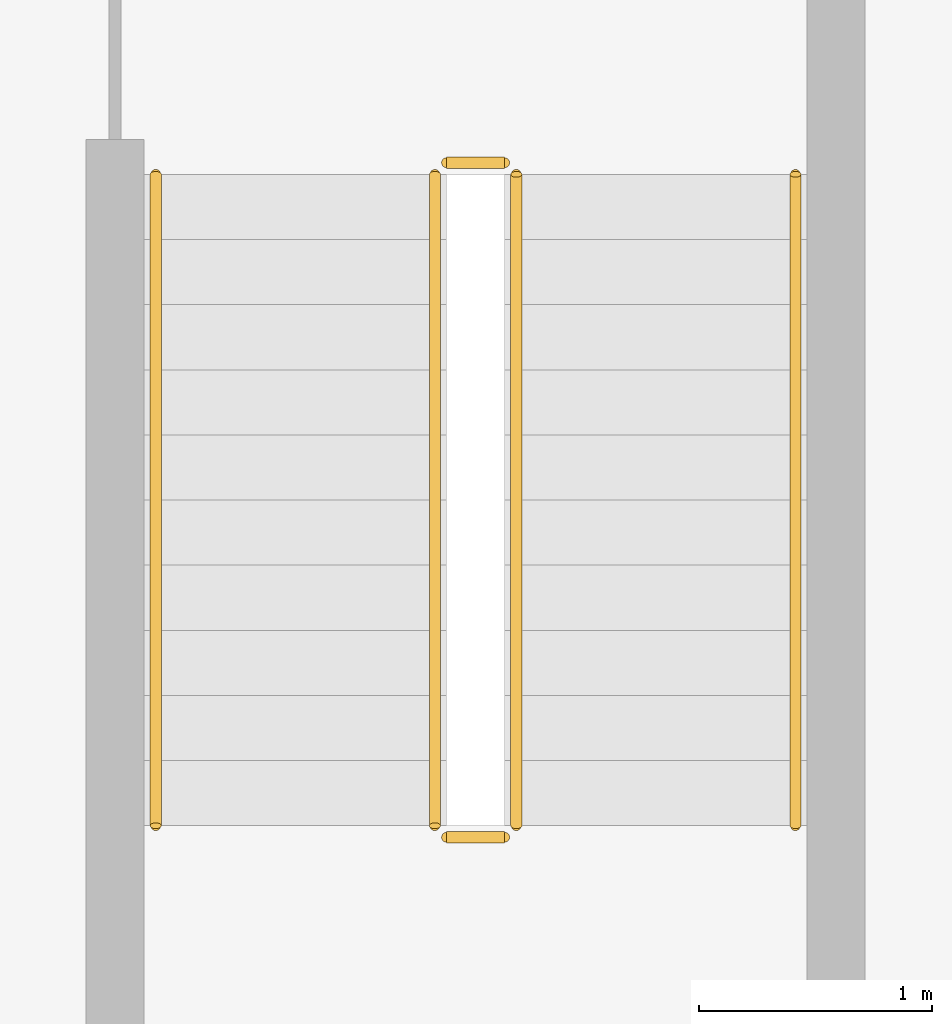
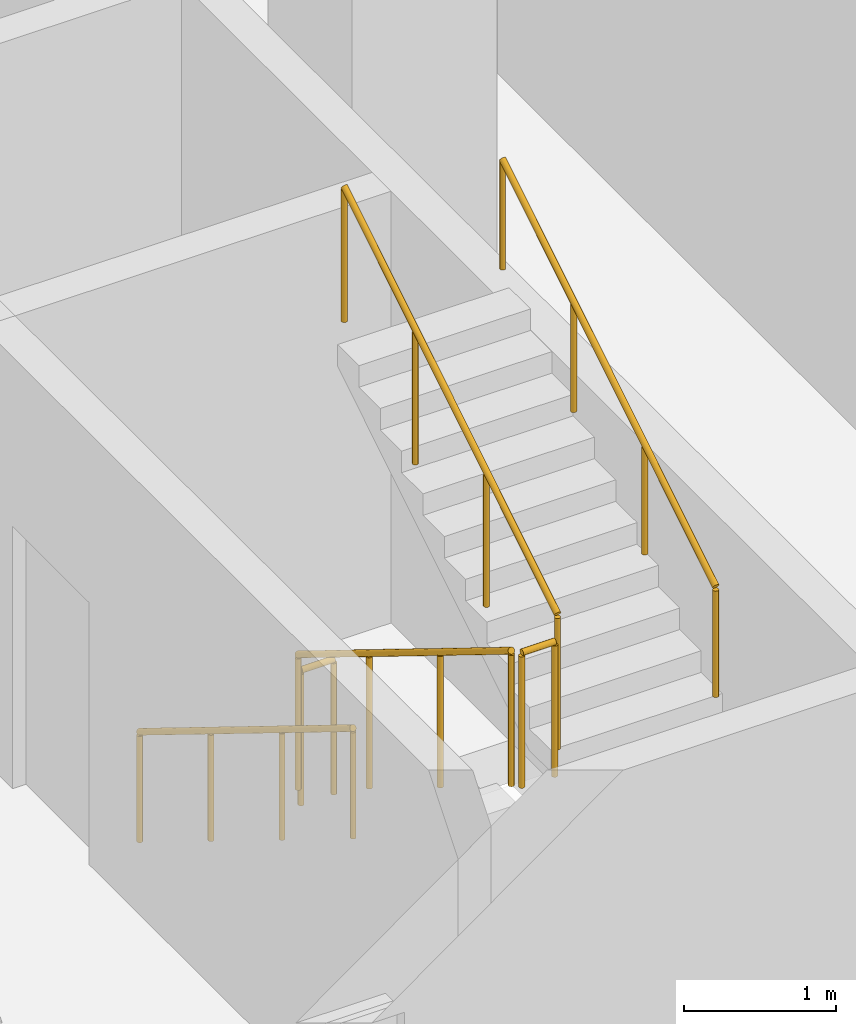
# One storey, part 26 of 30: 6 railings.
"""IFC4 building model written with IfcOpenShell, lengths in metres."""

import ifcopenshell
import ifcopenshell.guid

model = None  # the IFC model being written
_history = None  # IfcOwnerHistory: only IFC2X3 demands one
_inside = {}  # id of a spatial element -> (the spatial element, [elements in it])
_under = {}  # id of a project, library or spatial element -> (it, [spatial elements below it])
_declared = {}  # id of a project -> (the project, [libraries it declares])
_typed = {}  # id of a type object -> (the type object, [elements of that type])
_made_of = {}  # id of a material, layer set ... -> (it, [elements and type objects made of it])


def new_model(schema):
    """Start an empty IFC model of exactly this schema.

    Asked for "IFC4X3", IfcOpenShell would pick the latest addendum, in which some entities
    have other attributes; the version numbers below select the first issue.
    IFC2X3 requires an IfcOwnerHistory on every rooted entity: one is made here for all.
    """
    global model, _history
    if schema == "IFC4X3":
        model = ifcopenshell.file(schema_version=(4, 3, 0, 0))
    else:
        model = ifcopenshell.file(schema=schema)
    _inside.clear()
    _under.clear()
    _declared.clear()
    _typed.clear()
    _made_of.clear()
    _history = None
    if model.schema == "IFC2X3":
        org = make("IfcOrganization", Name="unknown")
        user = make(
            "IfcPersonAndOrganization",
            ThePerson=make("IfcPerson", FamilyName="unknown"),
            TheOrganization=org,
        )
        app = make(
            "IfcApplication",
            ApplicationDeveloper=org,
            Version="unknown",
            ApplicationFullName="unknown",
            ApplicationIdentifier="unknown",
        )
        _history = make(
            "IfcOwnerHistory",
            OwningUser=user,
            OwningApplication=app,
            ChangeAction="ADDED",
            CreationDate=0,
        )
    return model


def make(cls, **values):
    """One entity of the class cls with the attributes given. An attribute that is None is left unset."""
    return model.create_entity(
        cls, **{name: value for name, value in values.items() if value is not None}
    )


def rooted(cls, **values):
    """An entity with a GlobalId (a new one), such as an element, a storey or a relation."""
    return make(cls, GlobalId=ifcopenshell.guid.new(), OwnerHistory=_history, **values)


def si_unit(unit_type, name, prefix=None):
    """IfcSIUnit, for example si_unit("LENGTHUNIT", "METRE", prefix="MILLI")."""
    return make("IfcSIUnit", UnitType=unit_type, Prefix=prefix, Name=name)


def assignment(units):
    """IfcUnitAssignment: the units of a project."""
    return None if units is None else make("IfcUnitAssignment", Units=units)


def point(xyz):
    """IfcCartesianPoint."""
    return None if xyz is None else make("IfcCartesianPoint", Coordinates=xyz)


def direction(xyz):
    """IfcDirection."""
    return None if xyz is None else make("IfcDirection", DirectionRatios=xyz)


def frame(location, z_axis=None, x_axis=None):
    """IfcAxis2Placement3D, a coordinate frame: its origin and axes. An axis left out is left unset."""
    return make(
        "IfcAxis2Placement3D",
        Location=point(location),
        Axis=direction(z_axis),
        RefDirection=direction(x_axis),
    )


def frame_2d(location, x_axis=None):
    """IfcAxis2Placement2D, a coordinate frame in the plane: its origin and x axis."""
    return make(
        "IfcAxis2Placement2D", Location=point(location), RefDirection=direction(x_axis)
    )


def origin():
    """The frame at (0, 0, 0) with its axes left unset."""
    return frame((0.0, 0.0, 0.0))


def origin_2d():
    """The frame at (0, 0) in the plane with its x axis left unset."""
    return frame_2d((0.0, 0.0))


def place(relative_to, where):
    """IfcLocalPlacement: puts the frame where relative to a parent placement (None: the world)."""
    return make(
        "IfcLocalPlacement", PlacementRelTo=relative_to, RelativePlacement=where
    )


def context(
    kind, dimensions, precision=None, world=None, true_north=None, identifier=None
):
    """IfcGeometricRepresentationContext, for example the 3D "Model" context."""
    return make(
        "IfcGeometricRepresentationContext",
        ContextIdentifier=identifier,
        ContextType=kind,
        CoordinateSpaceDimension=dimensions,
        Precision=precision,
        WorldCoordinateSystem=world,
        TrueNorth=true_north,
    )


def subcontext(parent, identifier, kind, view, scale=None):
    """IfcGeometricRepresentationSubContext, for example "Body" below "Model"."""
    return make(
        "IfcGeometricRepresentationSubContext",
        ContextIdentifier=identifier,
        ContextType=kind,
        ParentContext=parent,
        TargetScale=scale,
        TargetView=view,
    )


def project(units=None, contexts=None):
    """IfcProject with its units and contexts."""
    return rooted(
        "IfcProject",
        Name="project",
        RepresentationContexts=contexts,
        UnitsInContext=assignment(units),
    )


def spatial(cls, under=None, at=None, **own):
    """A site, building, storey or space (cls), placed at a placement, below another one or the project."""
    s = rooted(cls, ObjectPlacement=at, **own)
    if under is not None:
        _under.setdefault(under.id(), (under, []))[1].append(s)
    return s


def profile(cls, at=None, kind="AREA", **sizes):
    """A parametric profile (cls). Its sizes go by their IFC names, for example OverallWidth=200.0."""
    return make(cls, ProfileType=kind, Position=at, **sizes)


def circle(**sizes):
    """IfcCircleProfileDef."""
    return profile("IfcCircleProfileDef", **sizes)


def extrude(swept, where, along, depth):
    """IfcExtrudedAreaSolid: the profile swept, set in the frame where, extruded along a direction by depth."""
    return make(
        "IfcExtrudedAreaSolid",
        SweptArea=swept,
        Position=where,
        ExtrudedDirection=direction(along),
        Depth=depth,
    )


def shape(context_of_items, identifier, shape_type, items):
    """IfcShapeRepresentation: the items that make up one representation, for example the "Body"."""
    return make(
        "IfcShapeRepresentation",
        ContextOfItems=context_of_items,
        RepresentationIdentifier=identifier,
        RepresentationType=shape_type,
        Items=items,
    )


def material(Name=None, Category=None):
    """IfcMaterial."""
    return make("IfcMaterial", Name=Name, Category=Category)


def made_of(thing, what):
    """Note that an element or type object is made of a material, layer set ...; save() writes the relation."""
    if what is not None:
        _made_of.setdefault(what.id(), (what, []))[1].append(thing)
    return thing


def type_object(cls, material=None, **own):
    """A type object (cls), such as IfcWallType, which elements share."""
    return made_of(rooted(cls, **own), material)


def element(
    cls,
    number,
    at=None,
    inside=None,
    cuts=None,
    type_object=None,
    material=None,
    context=None,
    identifier="Body",
    shape_type=None,
    held_by="IfcProductDefinitionShape",
    body=None,
    shapes=None,
    **own,
):
    """One element of the class cls, such as IfcWall. Its Tag is "e" and its number.

    at: its placement. inside: the storey or other place that contains it. cuts: it is an
    opening in that element (IfcRelVoidsElement). A single representation is given by context,
    identifier, shape_type and body (its items); several are given by shapes. held_by: the class
    of the entity that holds the representations. save() writes the other relations.
    """
    e = rooted(cls, Tag="e%d" % number, ObjectPlacement=at, **own)
    if body is not None:
        shapes = [shape(context, identifier, shape_type, body)]
    if shapes is not None:
        e.Representation = make(held_by, Representations=shapes)
    if inside is not None:
        _inside.setdefault(inside.id(), (inside, []))[1].append(e)
    if cuts is not None:
        rooted(
            "IfcRelVoidsElement", RelatingBuildingElement=cuts, RelatedOpeningElement=e
        )
    if type_object is not None:
        _typed.setdefault(type_object.id(), (type_object, []))[1].append(e)
    return made_of(e, material)


def aggregate(whole, parts):
    """IfcRelAggregates: a whole, such as a stair, and the parts it consists of."""
    return rooted("IfcRelAggregates", RelatingObject=whole, RelatedObjects=parts)


def save(model, path):
    """Write the relations noted so far, then the file.

    IfcRelAggregates (storeys below a building ...), IfcRelContainedInSpatialStructure (elements
    in a storey), IfcRelDefinesByType, IfcRelAssociatesMaterial and IfcRelDeclares: one each for
    every whole, place, type object, material and project.
    """
    for whole, parts in _under.values():
        aggregate(whole, parts)
    for where, things in _inside.values():
        rooted(
            "IfcRelContainedInSpatialStructure",
            RelatedElements=things,
            RelatingStructure=where,
        )
    for kind, things in _typed.values():
        rooted("IfcRelDefinesByType", RelatedObjects=things, RelatingType=kind)
    for what, things in _made_of.values():
        rooted("IfcRelAssociatesMaterial", RelatedObjects=things, RelatingMaterial=what)
    for by, libraries in _declared.values():
        rooted("IfcRelDeclares", RelatingContext=by, RelatedDefinitions=libraries)
    model.write(path)


model = new_model("IFC4")

# Units and contexts
model_context = context("Model", 3, precision=1e-05, world=origin(), true_north=direction((0.0, 1.0)))
body_context = subcontext(model_context, "Body", "Model", "MODEL_VIEW")
ifc_project = project(units=[si_unit("LENGTHUNIT", "METRE"), si_unit("AREAUNIT", "SQUARE_METRE"), si_unit("VOLUMEUNIT", "CUBIC_METRE"), si_unit("PLANEANGLEUNIT", "RADIAN"), si_unit("MASSUNIT", "GRAM", prefix="KILO")], contexts=[model_context])

# Site, building, storey
site_placement = place(None, origin())
site = spatial("IfcSite", under=ifc_project, at=site_placement, CompositionType="ELEMENT")
building_placement = place(site_placement, origin())
building = spatial("IfcBuilding", under=site, at=building_placement, Name="Mahtab Terrace Research Tower", CompositionType="ELEMENT")
storey_placement = place(building_placement, frame((0.0, 0.0, 209.10009765625)))
storey = spatial("IfcBuildingStorey", under=building, at=storey_placement, Name="L50", CompositionType="ELEMENT", Elevation=209.10009765625)

# Railings
ifc_material = material(Name="Stainless steel AISI 304", Category="steel")
railing_type_1 = type_object("IfcRailingType", Name="Stair guard 1100", PredefinedType="GUARDRAIL", material=ifc_material)
railing_1_placement = place(storey_placement, frame((2.949951171875, -4.175048828125, 0.172607421875)))
element("IfcRailing", 1, at=railing_1_placement, inside=storey, type_object=railing_type_1, Name="L50 ST2 stair guard 1", PredefinedType="GUARDRAIL", context=body_context, shape_type="SweptSolid", body=[
    extrude(circle(Radius=0.02392578125, at=origin_2d()), frame((0.0, 0.0, 1.076171875), z_axis=(0.0, -0.851089632645, 0.525020415988), x_axis=(1.0, 0.0, 0.0)), (0.0, 0.0, 1.0), 3.2900390625),
    extrude(circle(Radius=0.02099609375, at=origin_2d()), origin(), (0.0, 0.0, 1.0), 1.052001953125),
    extrude(circle(Radius=0.02099609375, at=origin_2d()), frame((0.0, -0.933349609375, 0.57568359375)), (0.0, 0.0, 1.0), 1.052001953125),
    extrude(circle(Radius=0.02099609375, at=origin_2d()), frame((0.0, -1.86669921875, 1.151611328125)), (0.0, 0.0, 1.0), 1.052001953125),
    extrude(circle(Radius=0.02099609375, at=origin_2d()), frame((0.0, -2.800048828125, 1.727294921875)), (0.0, 0.0, 1.0), 1.052001953125),
])
railing_2_placement = place(storey_placement, frame((3.0, -7.02490234375, 1.89990234375)))
element("IfcRailing", 2, at=railing_2_placement, inside=storey, type_object=railing_type_1, Name="L50 ST2 stair guard 2", PredefinedType="GUARDRAIL", context=body_context, shape_type="SweptSolid", body=[
    extrude(circle(Radius=0.02392578125, at=origin_2d()), frame((0.0, 0.0, 1.076171875), z_axis=(1.0, 0.0, 0.0), x_axis=(0.0, 1.0, 0.0)), (0.0, 0.0, 1.0), 0.25),
    extrude(circle(Radius=0.02099609375, at=origin_2d()), origin(), (0.0, 0.0, 1.0), 1.052001953125),
    extrude(circle(Radius=0.02099609375, at=origin_2d()), frame((0.25, 0.0, 0.0)), (0.0, 0.0, 1.0), 1.052001953125),
])
railing_3_placement = place(storey_placement, frame((3.300048828125, -6.97509765625, 2.072509765625)))
element("IfcRailing", 3, at=railing_3_placement, inside=storey, type_object=railing_type_1, Name="L50 ST2 stair guard 3", PredefinedType="GUARDRAIL", context=body_context, shape_type="SweptSolid", body=[
    extrude(circle(Radius=0.02392578125, at=origin_2d()), frame((0.0, 0.0, 1.076171875), z_axis=(0.0, 0.851089632645, 0.525020415988), x_axis=(-1.0, 0.0, 0.0)), (0.0, 0.0, 1.0), 3.2900390625),
    extrude(circle(Radius=0.02099609375, at=origin_2d()), origin(), (0.0, 0.0, 1.0), 1.052001953125),
    extrude(circle(Radius=0.02099609375, at=origin_2d()), frame((0.0, 0.933349609375, 0.57568359375)), (0.0, 0.0, 1.0), 1.052001953125),
    extrude(circle(Radius=0.02099609375, at=origin_2d()), frame((0.0, 1.86669921875, 1.151611328125)), (0.0, 0.0, 1.0), 1.052001953125),
    extrude(circle(Radius=0.02099609375, at=origin_2d()), frame((0.0, 2.800048828125, 1.727294921875)), (0.0, 0.0, 1.0), 1.052001953125),
])
railing_4_placement = place(storey_placement, frame((3.0, -4.125, 0.0)))
element("IfcRailing", 4, at=railing_4_placement, inside=storey, type_object=railing_type_1, Name="L50 ST2 stair guard 4", PredefinedType="GUARDRAIL", context=body_context, shape_type="SweptSolid", body=[
    extrude(circle(Radius=0.02392578125, at=origin_2d()), frame((0.0, 0.0, 1.076171875), z_axis=(1.0, 0.0, 0.0), x_axis=(0.0, 1.0, 0.0)), (0.0, 0.0, 1.0), 0.25),
    extrude(circle(Radius=0.02099609375, at=origin_2d()), origin(), (0.0, 0.0, 1.0), 1.052001953125),
    extrude(circle(Radius=0.02099609375, at=origin_2d()), frame((0.25, 0.0, 0.0)), (0.0, 0.0, 1.0), 1.052001953125),
])
railing_type_2 = type_object("IfcRailingType", Name="Stair handrail 900", PredefinedType="HANDRAIL", material=ifc_material)
railing_5_placement = place(storey_placement, frame((1.75, -4.175048828125, 0.172607421875)))
element("IfcRailing", 5, at=railing_5_placement, inside=storey, type_object=railing_type_2, Name="L50 ST2 stair handrail 1", PredefinedType="HANDRAIL", context=body_context, shape_type="SweptSolid", body=[
    extrude(circle(Radius=0.02392578125, at=origin_2d()), frame((0.0, 0.0, 0.8759765625), z_axis=(0.0, -0.851089632645, 0.525020415988), x_axis=(1.0, 0.0, 0.0)), (0.0, 0.0, 1.0), 3.2900390625),
    extrude(circle(Radius=0.02099609375, at=origin_2d()), origin(), (0.0, 0.0, 1.0), 0.851806640625),
    extrude(circle(Radius=0.02099609375, at=origin_2d()), frame((0.0, -0.933349609375, 0.57568359375)), (0.0, 0.0, 1.0), 0.851806640625),
    extrude(circle(Radius=0.02099609375, at=origin_2d()), frame((0.0, -1.86669921875, 1.151611328125)), (0.0, 0.0, 1.0), 0.851806640625),
    extrude(circle(Radius=0.02099609375, at=origin_2d()), frame((0.0, -2.800048828125, 1.727294921875)), (0.0, 0.0, 1.0), 0.851806640625),
])
railing_6_placement = place(storey_placement, frame((4.5, -6.97509765625, 2.072509765625)))
element("IfcRailing", 6, at=railing_6_placement, inside=storey, type_object=railing_type_2, Name="L50 ST2 stair handrail 2", PredefinedType="HANDRAIL", context=body_context, shape_type="SweptSolid", body=[
    extrude(circle(Radius=0.02392578125, at=origin_2d()), frame((0.0, 0.0, 0.8759765625), z_axis=(0.0, 0.851089632645, 0.525020415988), x_axis=(-1.0, 0.0, 0.0)), (0.0, 0.0, 1.0), 3.2900390625),
    extrude(circle(Radius=0.02099609375, at=origin_2d()), origin(), (0.0, 0.0, 1.0), 0.851806640625),
    extrude(circle(Radius=0.02099609375, at=origin_2d()), frame((0.0, 0.933349609375, 0.57568359375)), (0.0, 0.0, 1.0), 0.851806640625),
    extrude(circle(Radius=0.02099609375, at=origin_2d()), frame((0.0, 1.86669921875, 1.151611328125)), (0.0, 0.0, 1.0), 0.851806640625),
    extrude(circle(Radius=0.02099609375, at=origin_2d()), frame((0.0, 2.800048828125, 1.727294921875)), (0.0, 0.0, 1.0), 0.851806640625),
])

save(model, "model.ifc")
